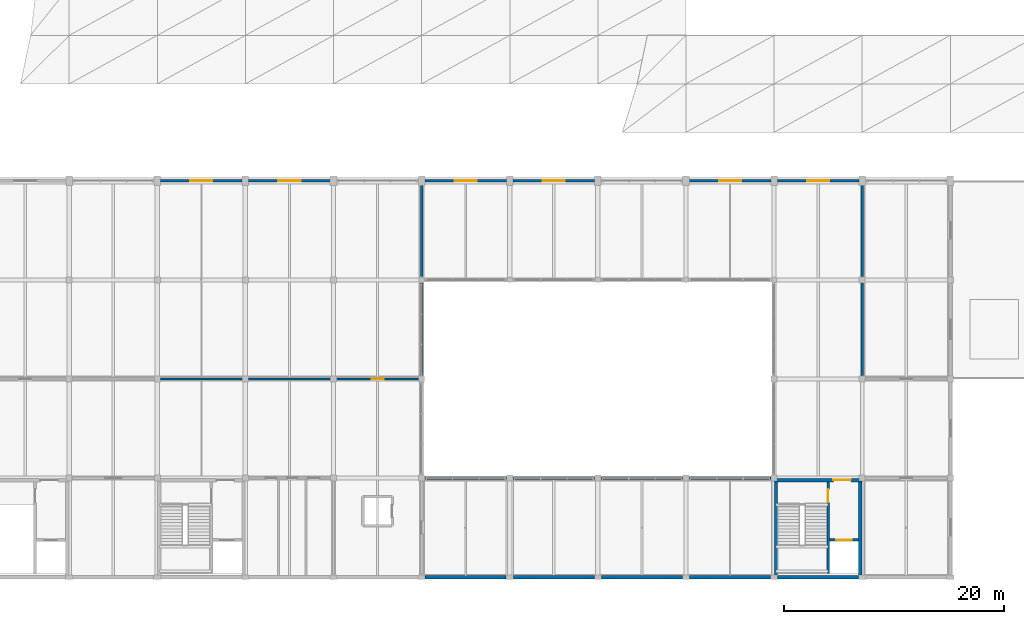
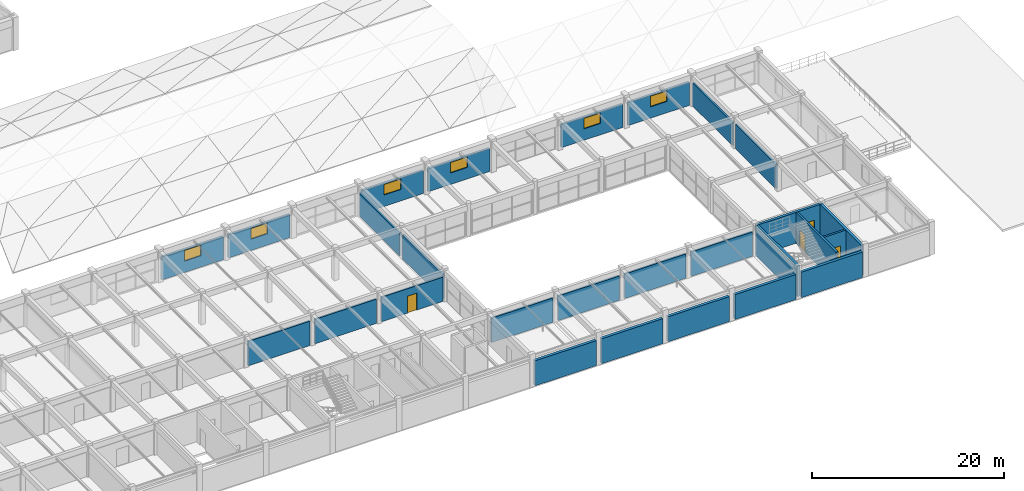
# One storey, part 45 of 63: 27 walls, 6 windows, 4 doors, 10 openings.
"""IFC4 building model written with IfcOpenShell, lengths in metres."""

from ifc_helpers import new_model, si_unit, direction, frame, frame_2d, origin, place, context, subcontext, project, spatial, rectangle, extrude, material, layer, layer_set, type_object, element, fill, save


model = new_model("IFC4")

# Units and contexts
model_context = context("Model", 3, precision=1e-05, world=origin(), true_north=direction((0.0, 1.0)))
body_context = subcontext(model_context, "Body", "Model", "MODEL_VIEW")
ifc_project = project(units=[si_unit("LENGTHUNIT", "METRE"), si_unit("AREAUNIT", "SQUARE_METRE"), si_unit("VOLUMEUNIT", "CUBIC_METRE"), si_unit("PLANEANGLEUNIT", "RADIAN"), si_unit("MASSUNIT", "GRAM", prefix="KILO")], contexts=[model_context])

# Site, building, storey
site_placement = place(None, origin())
site = spatial("IfcSite", under=ifc_project, at=site_placement, CompositionType="ELEMENT")
building_placement = place(site_placement, origin())
building = spatial("IfcBuilding", under=site, at=building_placement, Name="Varnabhumi Central Station", CompositionType="ELEMENT")
storey_placement = place(building_placement, frame((0.0, 0.0, 20.39990234375)))
storey = spatial("IfcBuildingStorey", under=building, at=storey_placement, Name="L04", CompositionType="ELEMENT", Elevation=20.39990234375)

# Walls
ifc_material_1 = material(Name="Autoclaved aerated blockwork masonry", Category="masonry")
ifc_layer_1 = layer(ifc_material_1, 0.219970703125, Name="Autoclaved aerated blockwork masonry", Category="masonry")
ifc_layer_set_1 = layer_set([ifc_layer_1], Name="Autoclaved aerated blockwork masonry")
wall_type_1 = type_object("IfcWallType", Name="WAL-COMP-AAC-220", PredefinedType="SOLIDWALL", material=ifc_layer_set_1)
for number, where, z_axis, x_axis, name in (
    (1, (88.300048828125, 18.0, 0.0), (0.0, 0.0, 1.0), (1.0, 0.0, 0.0), "Axle Counter and Signalling Equipment Room Corridor Partition 3"),
    (2, (96.300048828125, 18.0, 0.0), (0.0, 0.0, 1.0), (1.0, 0.0, 0.0), "Axle Counter and Signalling Equipment Room Corridor Partition 4"),
):
    element("IfcWall", number, at=place(storey_placement, frame(where, z_axis=z_axis, x_axis=x_axis)), inside=storey, type_object=wall_type_1, Name=name, PredefinedType="SOLIDWALL", context=body_context, shape_type="SweptSolid", body=[
        extrude(rectangle(XDim=7.39990234375, YDim=0.219970703125, at=frame_2d((3.699951171875, 0.0))), origin(), (0.0, 0.0, 1.0), 3.10009765625),
    ])

# Wall, opening, door
wall_1_placement = place(storey_placement, frame((104.300048828125, 18.0, 0.0), z_axis=(0.0, 0.0, 1.0), x_axis=(1.0, 0.0, 0.0)))
wall_1 = element("IfcWall", 3, at=wall_1_placement, inside=storey, type_object=wall_type_1, Name="Axle Counter and Signalling Equipment Room Corridor Partition 5", PredefinedType="SOLIDWALL", context=body_context, shape_type="SweptSolid", body=[
    extrude(rectangle(XDim=7.39990234375, YDim=0.219970703125, at=frame_2d((3.699951171875, 0.0))), origin(), (0.0, 0.0, 1.0), 3.10009765625),
])
opening_1_placement = place(wall_1_placement, frame((3.14990234375, 0.0, 0.0)))
opening_1 = element("IfcOpeningElement", 4, at=opening_1_placement, cuts=wall_1, Name="Opening FD-60", PredefinedType="OPENING", context=body_context, shape_type="SweptSolid", body=[
    extrude(rectangle(XDim=1.10009765625, YDim=2.14990234375, at=frame_2d((0.550048828125, 1.074951171875))), frame((0.0, 0.119873046875, 0.0), z_axis=(0.0, -1.0, 0.0), x_axis=(1.0, 0.0, 0.0)), (0.0, 0.0, 1.0), 0.239990234375),
])
ifc_material_2 = material(Name="Intumescent-treated hardwood timber", Category="wood")
door_type_1 = type_object("IfcDoorType", Name="DR-FIRE-60-1100", OperationType="NOTDEFINED", PredefinedType="DOOR", material=ifc_material_2)
door_1_placement = place(opening_1_placement, frame((1.10009765625, 0.0, 0.0), z_axis=(0.0, 0.0, 1.0), x_axis=(-1.0, 0.0, 0.0)))
door_1 = element("IfcDoor", 5, at=door_1_placement, inside=storey, type_object=door_type_1, Name="Axle Counter and Signalling Equipment Room Door 5", OperationType="SINGLE_SWING_LEFT", OverallHeight=2.14990234375, OverallWidth=1.10009765625, PredefinedType="DOOR", context=body_context, shape_type="SweptSolid", body=[
    extrude(rectangle(XDim=1.10009765625, YDim=2.14990234375, at=frame_2d((0.550048828125, 1.074951171875))), frame((0.0, 0.02490234375, 0.0), z_axis=(0.0, -1.0, 0.0), x_axis=(1.0, 0.0, 0.0)), (0.0, 0.0, 1.0), 0.050048828125),
])
fill(opening_1, door_1)

# Walls
wall_2_placement = place(storey_placement, frame((112.0, 18.300048828125, 0.0), z_axis=(0.0, 0.0, 1.0), x_axis=(0.0, 1.0, 0.0)))
element("IfcWall", 6, at=wall_2_placement, inside=storey, type_object=wall_type_1, Name="Axle Counter and Signalling Equipment Room W Partition 1", PredefinedType="SOLIDWALL", context=body_context, shape_type="SweptSolid", body=[
    extrude(rectangle(XDim=8.39990234375, YDim=0.219970703125, at=frame_2d((4.199951171875, 0.0))), origin(), (0.0, 0.0, 1.0), 3.10009765625),
])
wall_3_placement = place(storey_placement, frame((112.0, 27.300048828125, 0.0), z_axis=(0.0, 0.0, 1.0), x_axis=(0.0, 1.0, 0.0)))
element("IfcWall", 7, at=wall_3_placement, inside=storey, type_object=wall_type_1, Name="Axle Counter and Signalling Equipment Room W Partition 2", PredefinedType="SOLIDWALL", context=body_context, shape_type="SweptSolid", body=[
    extrude(rectangle(XDim=8.39990234375, YDim=0.219970703125, at=frame_2d((4.199951171875, 0.0))), origin(), (0.0, 0.0, 1.0), 2.93017578125),
])
for number, where, z_axis, x_axis, name in (
    (8, (112.300048828125, 9.0, 0.0), (0.0, 0.0, 1.0), (1.0, 0.0, 0.0), "Signalling and Telecom Spares Store Corridor Partition 1"),
    (9, (120.300048828125, 9.0, 0.0), (0.0, 0.0, 1.0), (1.0, 0.0, 0.0), "Signalling and Telecom Spares Store Corridor Partition 2"),
    (10, (128.300048828125, 9.0, 0.0), (0.0, 0.0, 1.0), (1.0, 0.0, 0.0), "Signalling and Telecom Spares Store Corridor Partition 3"),
    (11, (136.300048828125, 9.0, 0.0), (0.0, 0.0, 1.0), (1.0, 0.0, 0.0), "Signalling and Telecom Spares Store Corridor Partition 4"),
):
    element("IfcWall", number, at=place(storey_placement, frame(where, z_axis=z_axis, x_axis=x_axis)), inside=storey, type_object=wall_type_1, Name=name, PredefinedType="SOLIDWALL", context=body_context, shape_type="SweptSolid", body=[
        extrude(rectangle(XDim=7.39990234375, YDim=0.219970703125, at=frame_2d((3.699951171875, 0.0))), origin(), (0.0, 0.0, 1.0), 3.10009765625),
    ])
wall_4_placement = place(storey_placement, frame((152.0, 18.300048828125, 0.0), z_axis=(0.0, 0.0, 1.0), x_axis=(0.0, 1.0, 0.0)))
element("IfcWall", 12, at=wall_4_placement, inside=storey, type_object=wall_type_1, Name="Fibre Telecom and Data Logger Room E Partition 1", PredefinedType="SOLIDWALL", context=body_context, shape_type="SweptSolid", body=[
    extrude(rectangle(XDim=8.39990234375, YDim=0.219970703125, at=frame_2d((4.199951171875, 0.0))), origin(), (0.0, 0.0, 1.0), 3.10009765625),
])
wall_5_placement = place(storey_placement, frame((152.0, 27.300048828125, 0.0), z_axis=(0.0, 0.0, 1.0), x_axis=(0.0, 1.0, 0.0)))
element("IfcWall", 13, at=wall_5_placement, inside=storey, type_object=wall_type_1, Name="Fibre Telecom and Data Logger Room E Partition 2", PredefinedType="SOLIDWALL", context=body_context, shape_type="SweptSolid", body=[
    extrude(rectangle(XDim=8.39990234375, YDim=0.219970703125, at=frame_2d((4.199951171875, 0.0))), origin(), (0.0, 0.0, 1.0), 2.93017578125),
])
ifc_material_3 = material(Name="Concrete M40", Category="concrete")
ifc_layer_2 = layer(ifc_material_3, 0.300048828125, Name="Concrete M40", Category="concrete")
ifc_layer_set_2 = layer_set([ifc_layer_2], Name="Concrete M40")
wall_type_2 = type_object("IfcWallType", Name="WAL-CORE-RC-300", PredefinedType="SHEAR", material=ifc_layer_set_2)
for number, where, z_axis, x_axis, name in (
    (14, (144.179931640625, 0.179931640625, 0.0), (0.0, 0.0, 1.0), (0.0, 1.0, 0.0), "SC3 L04 West Shear Wall"),
    (15, (151.820068359375, 0.179931640625, 0.0), (0.0, 0.0, 1.0), (0.0, 1.0, 0.0), "SC3 L04 East Shear Wall"),
):
    element("IfcWall", number, at=place(storey_placement, frame(where, z_axis=z_axis, x_axis=x_axis)), inside=storey, type_object=wall_type_2, Name=name, PredefinedType="SHEAR", context=body_context, shape_type="SweptSolid", body=[
        extrude(rectangle(XDim=8.64013671875, YDim=0.300048828125, at=frame_2d((4.320068359375, 0.0))), origin(), (0.0, 0.0, 1.0), 3.920166015625),
    ])

# Wall, opening, door
wall_6_placement = place(storey_placement, frame((144.030029296875, 8.820068359375, 0.0), z_axis=(0.0, 0.0, 1.0), x_axis=(1.0, 0.0, 0.0)))
wall_6 = element("IfcWall", 16, at=wall_6_placement, inside=storey, type_object=wall_type_2, Name="SC3 L04 Corridor Shear Wall", PredefinedType="SHEAR", context=body_context, shape_type="SweptSolid", body=[
    extrude(rectangle(XDim=7.93994140625, YDim=0.300048828125, at=frame_2d((3.969970703125, 0.0))), origin(), (0.0, 0.0, 1.0), 3.920166015625),
])
opening_2_placement = place(wall_6_placement, frame((5.35009765625, 0.0, 0.0)))
opening_2 = element("IfcOpeningElement", 17, at=opening_2_placement, cuts=wall_6, Name="Opening FD-60D", PredefinedType="OPENING", context=body_context, shape_type="SweptSolid", body=[
    extrude(rectangle(XDim=1.60009765625, YDim=2.14990234375, at=frame_2d((0.800048828125, 1.074951171875))), frame((0.0, 0.159912109375, 0.0), z_axis=(0.0, -1.0, 0.0), x_axis=(1.0, 0.0, 0.0)), (0.0, 0.0, 1.0), 0.320068359375),
])
door_type_2 = type_object("IfcDoorType", Name="DR-FIRE-60-1600", OperationType="NOTDEFINED", PredefinedType="DOOR", material=ifc_material_2)
door_2_placement = place(opening_2_placement, origin())
door_2 = element("IfcDoor", 18, at=door_2_placement, inside=storey, type_object=door_type_2, Name="SC3 L04 Lobby Fire Door", OperationType="DOUBLE_DOOR_SINGLE_SWING", OverallHeight=2.14990234375, OverallWidth=1.60009765625, PredefinedType="DOOR", context=body_context, shape_type="SweptSolid", body=[
    extrude(rectangle(XDim=1.60009765625, YDim=2.14990234375, at=frame_2d((0.800048828125, 1.074951171875))), frame((0.0, 0.02490234375, 0.0), z_axis=(0.0, -1.0, 0.0), x_axis=(1.0, 0.0, 0.0)), (0.0, 0.0, 1.0), 0.050048828125),
])
fill(opening_2, door_2)

# Wall, opening, window
ifc_layer_3 = layer(ifc_material_1, 0.260009765625, Name="Autoclaved aerated blockwork masonry", Category="masonry")
ifc_layer_set_3 = layer_set([ifc_layer_3], Name="Autoclaved aerated blockwork masonry")
wall_type_3 = type_object("IfcWallType", Name="WAL-EXT-STUCCO-260", PredefinedType="SOLIDWALL", material=ifc_layer_set_3)
wall_7_placement = place(storey_placement, frame((88.294921875, 36.0, 0.0), z_axis=(0.0, 0.0, 1.0), x_axis=(1.0, 0.0, 0.0)))
wall_7 = element("IfcWall", 19, at=wall_7_placement, inside=storey, type_object=wall_type_3, Name="South Spine Wall L04-8", PredefinedType="SOLIDWALL", context=body_context, shape_type="SweptSolid", body=[
    extrude(rectangle(XDim=7.41015625, YDim=0.260009765625, at=frame_2d((3.705078125, 0.0))), origin(), (0.0, 0.0, 1.0), 2.93017578125),
])
opening_3_placement = place(wall_7_placement, frame((2.705078125, 0.0, 1.449951171875)))
opening_3 = element("IfcOpeningElement", 20, at=opening_3_placement, cuts=wall_7, Name="Opening W-06", PredefinedType="OPENING", context=body_context, shape_type="SweptSolid", body=[
    extrude(rectangle(XDim=2.0, YDim=1.340087890625, at=frame_2d((1.0, 0.669921875))), frame((0.0, 0.139892578125, 0.0), z_axis=(0.0, -1.0, 0.0), x_axis=(1.0, 0.0, 0.0)), (0.0, 0.0, 1.0), 0.280029296875),
])
ifc_material_4 = material(Name="Laminated low-E double glazing", Category="glass")
window_type = type_object("IfcWindowType", Name="WIN-OPS-2000x1900", PartitioningType="DOUBLE_PANEL_VERTICAL", PredefinedType="WINDOW", material=ifc_material_4)
window_1_placement = place(opening_3_placement, origin())
window_1 = element("IfcWindow", 21, at=window_1_placement, inside=storey, type_object=window_type, Name="South Spine Overlook Window L04-8", OverallHeight=1.340087890625, OverallWidth=2.0, PartitioningType="SINGLE_PANEL", PredefinedType="WINDOW", context=body_context, shape_type="SweptSolid", body=[
    extrude(rectangle(XDim=2.0, YDim=1.340087890625, at=frame_2d((1.0, 0.669921875))), frame((0.0, 0.030029296875, 0.0), z_axis=(0.0, -1.0, 0.0), x_axis=(1.0, 0.0, 0.0)), (0.0, 0.0, 1.0), 0.06005859375),
])
fill(opening_3, window_1)

wall_8_placement = place(storey_placement, frame((96.294921875, 36.0, 0.0), z_axis=(0.0, 0.0, 1.0), x_axis=(1.0, 0.0, 0.0)))
wall_8 = element("IfcWall", 22, at=wall_8_placement, inside=storey, type_object=wall_type_3, Name="South Spine Wall L04-9", PredefinedType="SOLIDWALL", context=body_context, shape_type="SweptSolid", body=[
    extrude(rectangle(XDim=7.41015625, YDim=0.260009765625, at=frame_2d((3.705078125, 0.0))), origin(), (0.0, 0.0, 1.0), 2.93017578125),
])
opening_4_placement = place(wall_8_placement, frame((2.705078125, 0.0, 1.449951171875)))
opening_4 = element("IfcOpeningElement", 23, at=opening_4_placement, cuts=wall_8, Name="Opening W-06", PredefinedType="OPENING", context=body_context, shape_type="SweptSolid", body=[
    extrude(rectangle(XDim=2.0, YDim=1.340087890625, at=frame_2d((1.0, 0.669921875))), frame((0.0, 0.139892578125, 0.0), z_axis=(0.0, -1.0, 0.0), x_axis=(1.0, 0.0, 0.0)), (0.0, 0.0, 1.0), 0.280029296875),
])
window_2_placement = place(opening_4_placement, origin())
window_2 = element("IfcWindow", 24, at=window_2_placement, inside=storey, type_object=window_type, Name="South Spine Overlook Window L04-9", OverallHeight=1.340087890625, OverallWidth=2.0, PartitioningType="SINGLE_PANEL", PredefinedType="WINDOW", context=body_context, shape_type="SweptSolid", body=[
    extrude(rectangle(XDim=2.0, YDim=1.340087890625, at=frame_2d((1.0, 0.669921875))), frame((0.0, 0.030029296875, 0.0), z_axis=(0.0, -1.0, 0.0), x_axis=(1.0, 0.0, 0.0)), (0.0, 0.0, 1.0), 0.06005859375),
])
fill(opening_4, window_2)

wall_9_placement = place(storey_placement, frame((112.294921875, 36.0, 0.0), z_axis=(0.0, 0.0, 1.0), x_axis=(1.0, 0.0, 0.0)))
wall_9 = element("IfcWall", 25, at=wall_9_placement, inside=storey, type_object=wall_type_3, Name="South Spine Wall L04-11", PredefinedType="SOLIDWALL", context=body_context, shape_type="SweptSolid", body=[
    extrude(rectangle(XDim=7.41015625, YDim=0.260009765625, at=frame_2d((3.705078125, 0.0))), origin(), (0.0, 0.0, 1.0), 2.93017578125),
])
opening_5_placement = place(wall_9_placement, frame((2.705078125, 0.0, 1.449951171875)))
opening_5 = element("IfcOpeningElement", 26, at=opening_5_placement, cuts=wall_9, Name="Opening W-06", PredefinedType="OPENING", context=body_context, shape_type="SweptSolid", body=[
    extrude(rectangle(XDim=2.0, YDim=1.340087890625, at=frame_2d((1.0, 0.669921875))), frame((0.0, 0.139892578125, 0.0), z_axis=(0.0, -1.0, 0.0), x_axis=(1.0, 0.0, 0.0)), (0.0, 0.0, 1.0), 0.280029296875),
])
window_3_placement = place(opening_5_placement, origin())
window_3 = element("IfcWindow", 27, at=window_3_placement, inside=storey, type_object=window_type, Name="South Spine Overlook Window L04-11", OverallHeight=1.340087890625, OverallWidth=2.0, PartitioningType="SINGLE_PANEL", PredefinedType="WINDOW", context=body_context, shape_type="SweptSolid", body=[
    extrude(rectangle(XDim=2.0, YDim=1.340087890625, at=frame_2d((1.0, 0.669921875))), frame((0.0, 0.030029296875, 0.0), z_axis=(0.0, -1.0, 0.0), x_axis=(1.0, 0.0, 0.0)), (0.0, 0.0, 1.0), 0.06005859375),
])
fill(opening_5, window_3)

wall_10_placement = place(storey_placement, frame((120.294921875, 36.0, 0.0), z_axis=(0.0, 0.0, 1.0), x_axis=(1.0, 0.0, 0.0)))
wall_10 = element("IfcWall", 28, at=wall_10_placement, inside=storey, type_object=wall_type_3, Name="South Spine Wall L04-12", PredefinedType="SOLIDWALL", context=body_context, shape_type="SweptSolid", body=[
    extrude(rectangle(XDim=7.41015625, YDim=0.260009765625, at=frame_2d((3.705078125, 0.0))), origin(), (0.0, 0.0, 1.0), 2.93017578125),
])
opening_6_placement = place(wall_10_placement, frame((2.705078125, 0.0, 1.449951171875)))
opening_6 = element("IfcOpeningElement", 29, at=opening_6_placement, cuts=wall_10, Name="Opening W-06", PredefinedType="OPENING", context=body_context, shape_type="SweptSolid", body=[
    extrude(rectangle(XDim=2.0, YDim=1.340087890625, at=frame_2d((1.0, 0.669921875))), frame((0.0, 0.139892578125, 0.0), z_axis=(0.0, -1.0, 0.0), x_axis=(1.0, 0.0, 0.0)), (0.0, 0.0, 1.0), 0.280029296875),
])
window_4_placement = place(opening_6_placement, origin())
window_4 = element("IfcWindow", 30, at=window_4_placement, inside=storey, type_object=window_type, Name="South Spine Overlook Window L04-12", OverallHeight=1.340087890625, OverallWidth=2.0, PartitioningType="SINGLE_PANEL", PredefinedType="WINDOW", context=body_context, shape_type="SweptSolid", body=[
    extrude(rectangle(XDim=2.0, YDim=1.340087890625, at=frame_2d((1.0, 0.669921875))), frame((0.0, 0.030029296875, 0.0), z_axis=(0.0, -1.0, 0.0), x_axis=(1.0, 0.0, 0.0)), (0.0, 0.0, 1.0), 0.06005859375),
])
fill(opening_6, window_4)

wall_11_placement = place(storey_placement, frame((136.294921875, 36.0, 0.0), z_axis=(0.0, 0.0, 1.0), x_axis=(1.0, 0.0, 0.0)))
wall_11 = element("IfcWall", 31, at=wall_11_placement, inside=storey, type_object=wall_type_3, Name="South Spine Wall L04-14", PredefinedType="SOLIDWALL", context=body_context, shape_type="SweptSolid", body=[
    extrude(rectangle(XDim=7.41015625, YDim=0.260009765625, at=frame_2d((3.705078125, 0.0))), origin(), (0.0, 0.0, 1.0), 2.93017578125),
])
opening_7_placement = place(wall_11_placement, frame((2.705078125, 0.0, 1.449951171875)))
opening_7 = element("IfcOpeningElement", 32, at=opening_7_placement, cuts=wall_11, Name="Opening W-06", PredefinedType="OPENING", context=body_context, shape_type="SweptSolid", body=[
    extrude(rectangle(XDim=2.0, YDim=1.340087890625, at=frame_2d((1.0, 0.669921875))), frame((0.0, 0.139892578125, 0.0), z_axis=(0.0, -1.0, 0.0), x_axis=(1.0, 0.0, 0.0)), (0.0, 0.0, 1.0), 0.280029296875),
])
window_5_placement = place(opening_7_placement, origin())
window_5 = element("IfcWindow", 33, at=window_5_placement, inside=storey, type_object=window_type, Name="South Spine Overlook Window L04-14", OverallHeight=1.340087890625, OverallWidth=2.0, PartitioningType="SINGLE_PANEL", PredefinedType="WINDOW", context=body_context, shape_type="SweptSolid", body=[
    extrude(rectangle(XDim=2.0, YDim=1.340087890625, at=frame_2d((1.0, 0.669921875))), frame((0.0, 0.030029296875, 0.0), z_axis=(0.0, -1.0, 0.0), x_axis=(1.0, 0.0, 0.0)), (0.0, 0.0, 1.0), 0.06005859375),
])
fill(opening_7, window_5)

wall_12_placement = place(storey_placement, frame((144.294921875, 36.0, 0.0), z_axis=(0.0, 0.0, 1.0), x_axis=(1.0, 0.0, 0.0)))
wall_12 = element("IfcWall", 34, at=wall_12_placement, inside=storey, type_object=wall_type_3, Name="South Spine Wall L04-15", PredefinedType="SOLIDWALL", context=body_context, shape_type="SweptSolid", body=[
    extrude(rectangle(XDim=7.41015625, YDim=0.260009765625, at=frame_2d((3.705078125, 0.0))), origin(), (0.0, 0.0, 1.0), 2.93017578125),
])
opening_8_placement = place(wall_12_placement, frame((2.705078125, 0.0, 1.449951171875)))
opening_8 = element("IfcOpeningElement", 35, at=opening_8_placement, cuts=wall_12, Name="Opening W-06", PredefinedType="OPENING", context=body_context, shape_type="SweptSolid", body=[
    extrude(rectangle(XDim=2.0, YDim=1.340087890625, at=frame_2d((1.0, 0.669921875))), frame((0.0, 0.139892578125, 0.0), z_axis=(0.0, -1.0, 0.0), x_axis=(1.0, 0.0, 0.0)), (0.0, 0.0, 1.0), 0.280029296875),
])
window_6_placement = place(opening_8_placement, origin())
window_6 = element("IfcWindow", 36, at=window_6_placement, inside=storey, type_object=window_type, Name="South Spine Overlook Window L04-15", OverallHeight=1.340087890625, OverallWidth=2.0, PartitioningType="SINGLE_PANEL", PredefinedType="WINDOW", context=body_context, shape_type="SweptSolid", body=[
    extrude(rectangle(XDim=2.0, YDim=1.340087890625, at=frame_2d((1.0, 0.669921875))), frame((0.0, 0.030029296875, 0.0), z_axis=(0.0, -1.0, 0.0), x_axis=(1.0, 0.0, 0.0)), (0.0, 0.0, 1.0), 0.06005859375),
])
fill(opening_8, window_6)

# Wall, opening, door
ifc_layer_4 = layer(ifc_material_3, 0.239990234375, Name="Concrete M40", Category="concrete")
ifc_layer_set_4 = layer_set([ifc_layer_4], Name="Concrete M40")
wall_type_4 = type_object("IfcWallType", Name="WAL-SHAFT-RC-240", PredefinedType="SHEAR", material=ifc_layer_set_4)
wall_13_placement = place(storey_placement, frame((148.89990234375, 0.35009765625, 0.0), z_axis=(0.0, 0.0, 1.0), x_axis=(0.0, 1.0, 0.0)))
wall_13 = element("IfcWall", 37, at=wall_13_placement, inside=storey, type_object=wall_type_4, Name="SC3 L04 Stair-Lobby Divider Wall", PredefinedType="SHEAR", context=body_context, shape_type="SweptSolid", body=[
    extrude(rectangle(XDim=8.2998046875, YDim=0.239990234375, at=frame_2d((4.14990234375, 0.0))), origin(), (0.0, 0.0, 1.0), 3.920166015625),
])
opening_9_placement = place(wall_13_placement, frame((6.449951171875, 0.0, 0.0)))
opening_9 = element("IfcOpeningElement", 38, at=opening_9_placement, cuts=wall_13, Name="Opening FD-120", PredefinedType="OPENING", context=body_context, shape_type="SweptSolid", body=[
    extrude(rectangle(XDim=1.199951171875, YDim=2.14990234375, at=frame_2d((0.60009765625, 1.074951171875))), frame((0.0, 0.1298828125, 0.0), z_axis=(0.0, -1.0, 0.0), x_axis=(1.0, 0.0, 0.0)), (0.0, 0.0, 1.0), 0.260009765625),
])
ifc_material_5 = material(Name="Stainless steel Grade 316", Category="steel")
door_type_3 = type_object("IfcDoorType", Name="DR-FIRE-120-1200", OperationType="NOTDEFINED", PredefinedType="DOOR", material=ifc_material_5)
door_3_placement = place(opening_9_placement, frame((1.199951171875, 0.0, 0.0), z_axis=(0.0, 0.0, 1.0), x_axis=(-1.0, 0.0, 0.0)))
door_3 = element("IfcDoor", 39, at=door_3_placement, inside=storey, type_object=door_type_3, Name="ST-S3 L04 Fire Door", OperationType="SINGLE_SWING_LEFT", OverallHeight=2.14990234375, OverallWidth=1.199951171875, PredefinedType="DOOR", context=body_context, shape_type="SweptSolid", body=[
    extrude(rectangle(XDim=1.199951171875, YDim=2.14990234375, at=frame_2d((0.60009765625, 1.074951171875))), frame((0.0, 0.02490234375, 0.0), z_axis=(0.0, -1.0, 0.0), x_axis=(1.0, 0.0, 0.0)), (0.0, 0.0, 1.0), 0.050048828125),
])
fill(opening_9, door_3)

wall_14_placement = place(storey_placement, frame((149.02001953125, 3.39990234375, 0.0), z_axis=(0.0, 0.0, 1.0), x_axis=(1.0, 0.0, 0.0)))
wall_14 = element("IfcWall", 40, at=wall_14_placement, inside=storey, type_object=wall_type_4, Name="GL-1 L04 Lift Shaft Front Wall", PredefinedType="SHEAR", context=body_context, shape_type="SweptSolid", body=[
    extrude(rectangle(XDim=2.6298828125, YDim=0.239990234375, at=frame_2d((1.31494140625, 0.0))), origin(), (0.0, 0.0, 1.0), 3.920166015625),
])
opening_10_placement = place(wall_14_placement, frame((0.614990234375, 0.0, 0.0)))
opening_10 = element("IfcOpeningElement", 41, at=opening_10_placement, cuts=wall_14, Name="Opening LD-GL-1", PredefinedType="OPENING", context=body_context, shape_type="SweptSolid", body=[
    extrude(rectangle(XDim=1.39990234375, YDim=2.14990234375, at=frame_2d((0.699951171875, 1.074951171875))), frame((0.0, 0.1298828125, 0.0), z_axis=(0.0, -1.0, 0.0), x_axis=(1.0, 0.0, 0.0)), (0.0, 0.0, 1.0), 0.260009765625),
])
door_type_4 = type_object("IfcDoorType", Name="DR-LIFT-GOODS-1400", OperationType="NOTDEFINED", PredefinedType="DOOR", material=ifc_material_5)
door_4_placement = place(opening_10_placement, origin())
door_4 = element("IfcDoor", 42, at=door_4_placement, inside=storey, type_object=door_type_4, Name="Lift Landing Door GL-1 L04", OperationType="DOUBLE_DOOR_SLIDING", OverallHeight=2.14990234375, OverallWidth=1.39990234375, PredefinedType="DOOR", context=body_context, shape_type="SweptSolid", body=[
    extrude(rectangle(XDim=1.39990234375, YDim=2.14990234375, at=frame_2d((0.699951171875, 1.074951171875))), frame((0.0, 0.02490234375, 0.0), z_axis=(0.0, -1.0, 0.0), x_axis=(1.0, 0.0, 0.0)), (0.0, 0.0, 1.0), 0.050048828125),
])
fill(opening_10, door_4)

# Walls
ifc_layer_5 = layer(ifc_material_3, 0.340087890625, Name="Concrete M40", Category="concrete")
ifc_layer_set_5 = layer_set([ifc_layer_5], Name="Concrete M40")
wall_type_5 = type_object("IfcWallType", Name="WAL-SOUTH-FIRE-340", PredefinedType="SOLIDWALL", material=ifc_layer_set_5)
for number, where, z_axis, x_axis, name in (
    (43, (112.320068359375, 0.0, 0.0), (0.0, 0.0, 1.0), (1.0, 0.0, 0.0), "South Infill Boundary Fire Wall L04-11"),
    (44, (120.320068359375, 0.0, 0.0), (0.0, 0.0, 1.0), (1.0, 0.0, 0.0), "South Infill Boundary Fire Wall L04-12"),
    (45, (128.320068359375, 0.0, 0.0), (0.0, 0.0, 1.0), (1.0, 0.0, 0.0), "South Infill Boundary Fire Wall L04-13"),
    (46, (136.320068359375, 0.0, 0.0), (0.0, 0.0, 1.0), (1.0, 0.0, 0.0), "South Infill Boundary Fire Wall L04-14"),
):
    element("IfcWall", number, at=place(storey_placement, frame(where, z_axis=z_axis, x_axis=x_axis)), inside=storey, type_object=wall_type_5, Name=name, PredefinedType="SOLIDWALL", context=body_context, shape_type="SweptSolid", body=[
        extrude(rectangle(XDim=7.35986328125, YDim=0.340087890625, at=frame_2d((3.679931640625, 0.0))), origin(), (0.0, 0.0, 1.0), 3.18017578125),
    ])
wall_15_placement = place(storey_placement, frame((144.320068359375, 0.0, 0.0), z_axis=(0.0, 0.0, 1.0), x_axis=(1.0, 0.0, 0.0)))
element("IfcWall", 47, at=wall_15_placement, inside=storey, type_object=wall_type_5, Name="South Infill Boundary Fire Wall L04-15", PredefinedType="SOLIDWALL", context=body_context, shape_type="SweptSolid", body=[
    extrude(rectangle(XDim=7.35986328125, YDim=0.340087890625, at=frame_2d((3.679931640625, 0.0))), origin(), (0.0, 0.0, 1.0), 3.239990234375),
])

save(model, "model.ifc")
